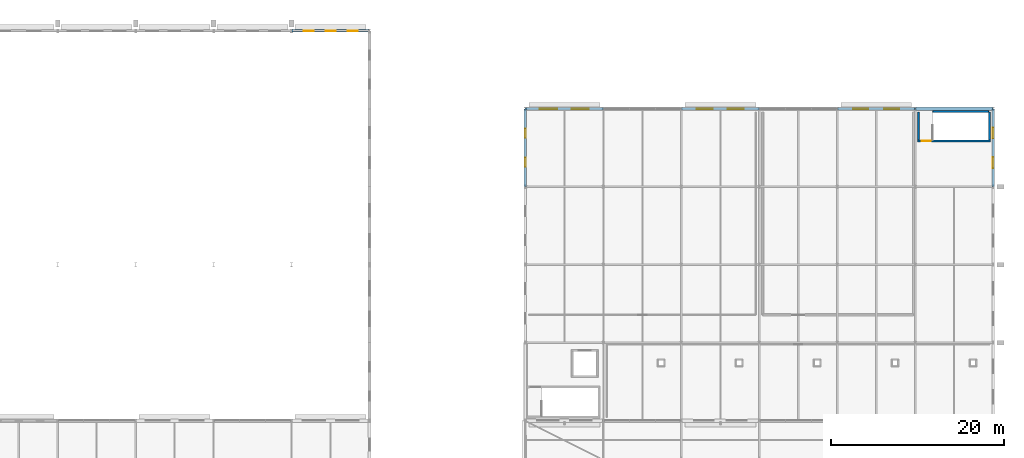
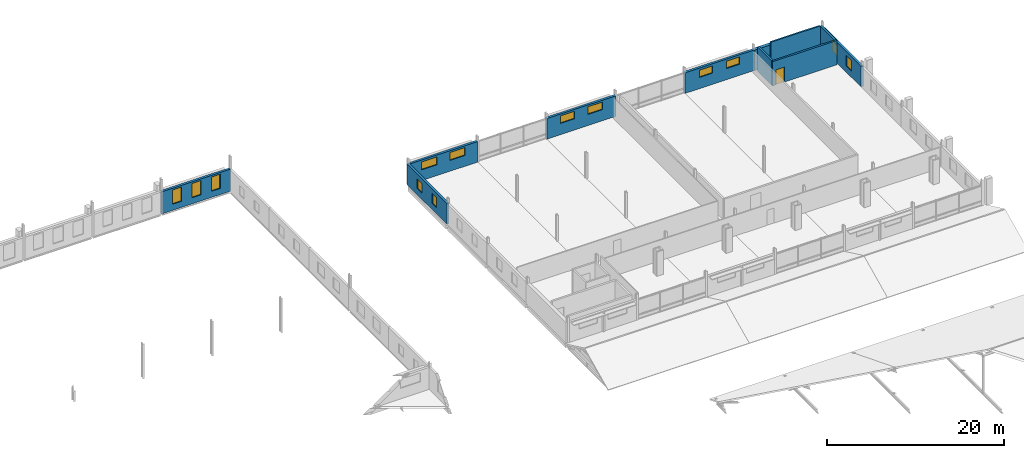
# One storey, part 117 of 132: 13 windows, 11 walls, 1 door, 14 openings.
"""IFC4 building model written with IfcOpenShell, lengths in metres."""

from ifc_helpers import new_model, si_unit, direction, frame, frame_2d, origin, place, context, subcontext, project, spatial, rectangle, extrude, material, layer, layer_set, type_object, element, fill, save


model = new_model("IFC4")

# Units and contexts
model_context = context("Model", 3, precision=1e-05, world=origin(), true_north=direction((0.0, 1.0)))
body_context = subcontext(model_context, "Body", "Model", "MODEL_VIEW")
ifc_project = project(units=[si_unit("LENGTHUNIT", "METRE"), si_unit("AREAUNIT", "SQUARE_METRE"), si_unit("VOLUMEUNIT", "CUBIC_METRE"), si_unit("PLANEANGLEUNIT", "RADIAN"), si_unit("MASSUNIT", "GRAM", prefix="KILO")], contexts=[model_context])

# Site, building, storey
site_placement = place(None, origin())
site = spatial("IfcSite", under=ifc_project, at=site_placement, CompositionType="ELEMENT")
building_placement = place(site_placement, origin())
building = spatial("IfcBuilding", under=site, at=building_placement, Name="Tharagai Park Tramway Depot", CompositionType="ELEMENT")
storey_placement = place(building_placement, frame((0.0, 0.0, 4.800048828125)))
storey = spatial("IfcBuildingStorey", under=building, at=storey_placement, Name="L01", CompositionType="ELEMENT", Elevation=4.800048828125)

# Wall
ifc_material_1 = material(Name="Charnockite stone", Category="masonry")
ifc_layer_1 = layer(ifc_material_1, 0.419921875)
ifc_layer_set_1 = layer_set([ifc_layer_1], Name="Charnockite stone")
wall_type_1 = type_object("IfcWallType", Name="EW-07", PredefinedType="SOLIDWALL", material=ifc_layer_set_1)
wall_1_placement = place(storey_placement, frame((207.00390625, 135.0, 0.0), z_axis=(0.0, 0.0, 1.0), x_axis=(1.0, 0.0, 0.0)))
element("IfcWall", 1, at=wall_1_placement, inside=storey, type_object=wall_type_1, Name="L01 V3 Exterior Masonry Wall EW-07", PredefinedType="SOLIDWALL", context=body_context, shape_type="SweptSolid", body=[
    extrude(rectangle(XDim=8.9921875, YDim=0.419921875, at=frame_2d((4.49609375, 0.0))), origin(), (0.0, 0.0, 1.0), 2.842041015625),
])

# Wall, openings, windows
ifc_material_2 = material(Name="Pressed clay brick", Category="masonry")
ifc_layer_2 = layer(ifc_material_2, 0.300048828125)
ifc_layer_set_2 = layer_set([ifc_layer_2], Name="Pressed clay brick")
wall_type_2 = type_object("IfcWallType", Name="EW-08", PredefinedType="SOLIDWALL", material=ifc_layer_set_2)
wall_2_placement = place(storey_placement, frame((162.00390625, 135.0, 0.0), z_axis=(0.0, 0.0, 1.0), x_axis=(1.0, 0.0, 0.0)))
wall_2 = element("IfcWall", 2, at=wall_2_placement, inside=storey, type_object=wall_type_2, Name="L01 V3 Exterior Masonry Wall EW-08", PredefinedType="SOLIDWALL", context=body_context, shape_type="SweptSolid", body=[
    extrude(rectangle(XDim=8.9921875, YDim=0.300048828125, at=frame_2d((4.49609375, 0.0))), origin(), (0.0, 0.0, 1.0), 2.842041015625),
])
opening_1_placement = place(wall_2_placement, frame((1.6640625, 0.0, 1.5)))
opening_1 = element("IfcOpeningElement", 3, at=opening_1_placement, cuts=wall_2, Name="Opening WN-49", PredefinedType="OPENING", context=body_context, shape_type="SweptSolid", body=[
    extrude(rectangle(XDim=2.0, YDim=1.080078125, at=frame_2d((1.0, 0.5400390625))), frame((0.0, 0.159912109375, 0.0), z_axis=(0.0, -1.0, 0.0), x_axis=(1.0, 0.0, 0.0)), (0.0, 0.0, 1.0), 0.320068359375),
])
opening_2_placement = place(wall_2_placement, frame((5.327880859375, 0.0, 1.5)))
opening_2 = element("IfcOpeningElement", 4, at=opening_2_placement, cuts=wall_2, Name="Opening WN-49", PredefinedType="OPENING", context=body_context, shape_type="SweptSolid", body=[
    extrude(rectangle(XDim=2.0, YDim=1.080078125, at=frame_2d((1.0, 0.5400390625))), frame((0.0, 0.159912109375, 0.0), z_axis=(0.0, -1.0, 0.0), x_axis=(1.0, 0.0, 0.0)), (0.0, 0.0, 1.0), 0.320068359375),
])
ifc_material_3 = material(Name="Laminated solar-control glass", Category="glass")
window_type_1 = type_object("IfcWindowType", Name="WN-49", PartitioningType="SINGLE_PANEL", PredefinedType="WINDOW", material=ifc_material_3)
window_1_placement = place(opening_1_placement, origin())
window_1 = element("IfcWindow", 5, at=window_1_placement, inside=storey, type_object=window_type_1, Name="L01 V3 Gothic Lancet Window WN-49", OverallHeight=1.080078125, OverallWidth=2.0, PartitioningType="SINGLE_PANEL", PredefinedType="WINDOW", context=body_context, shape_type="SweptSolid", body=[
    extrude(rectangle(XDim=2.0, YDim=1.080078125, at=frame_2d((1.0, 0.5400390625))), frame((0.0, 0.030029296875, 0.0), z_axis=(0.0, -1.0, 0.0), x_axis=(1.0, 0.0, 0.0)), (0.0, 0.0, 1.0), 0.06005859375),
])
fill(opening_1, window_1)
window_2_placement = place(opening_2_placement, origin())
window_2 = element("IfcWindow", 6, at=window_2_placement, inside=storey, type_object=window_type_1, Name="L01 V3 Gothic Lancet Window WN-49", OverallHeight=1.080078125, OverallWidth=2.0, PartitioningType="SINGLE_PANEL", PredefinedType="WINDOW", context=body_context, shape_type="SweptSolid", body=[
    extrude(rectangle(XDim=2.0, YDim=1.080078125, at=frame_2d((1.0, 0.5400390625))), frame((0.0, 0.030029296875, 0.0), z_axis=(0.0, -1.0, 0.0), x_axis=(1.0, 0.0, 0.0)), (0.0, 0.0, 1.0), 0.06005859375),
])
fill(opening_2, window_2)

wall_3_placement = place(storey_placement, frame((180.00390625, 135.0, 0.0), z_axis=(0.0, 0.0, 1.0), x_axis=(1.0, 0.0, 0.0)))
wall_3 = element("IfcWall", 7, at=wall_3_placement, inside=storey, type_object=wall_type_2, Name="L01 V3 Exterior Masonry Wall EW-08", PredefinedType="SOLIDWALL", context=body_context, shape_type="SweptSolid", body=[
    extrude(rectangle(XDim=8.9921875, YDim=0.300048828125, at=frame_2d((4.49609375, 0.0))), origin(), (0.0, 0.0, 1.0), 2.842041015625),
])
opening_3_placement = place(wall_3_placement, frame((1.763916015625, 0.0, 1.550048828125)))
opening_3 = element("IfcOpeningElement", 8, at=opening_3_placement, cuts=wall_3, Name="Opening WN-05", PredefinedType="OPENING", context=body_context, shape_type="SweptSolid", body=[
    extrude(rectangle(XDim=1.85009765625, YDim=1.0400390625, at=frame_2d((0.925048828125, 0.52001953125))), frame((0.0, 0.159912109375, 0.0), z_axis=(0.0, -1.0, 0.0), x_axis=(1.0, 0.0, 0.0)), (0.0, 0.0, 1.0), 0.320068359375),
])
opening_4_placement = place(wall_3_placement, frame((5.3779296875, 0.0, 1.550048828125)))
opening_4 = element("IfcOpeningElement", 9, at=opening_4_placement, cuts=wall_3, Name="Opening WN-05", PredefinedType="OPENING", context=body_context, shape_type="SweptSolid", body=[
    extrude(rectangle(XDim=1.85009765625, YDim=1.0400390625, at=frame_2d((0.925048828125, 0.52001953125))), frame((0.0, 0.159912109375, 0.0), z_axis=(0.0, -1.0, 0.0), x_axis=(1.0, 0.0, 0.0)), (0.0, 0.0, 1.0), 0.320068359375),
])
window_type_2 = type_object("IfcWindowType", Name="WN-05", PartitioningType="SINGLE_PANEL", PredefinedType="WINDOW", material=ifc_material_3)
window_3_placement = place(opening_3_placement, origin())
window_3 = element("IfcWindow", 10, at=window_3_placement, inside=storey, type_object=window_type_2, Name="L01 V3 Gothic Lancet Window WN-05", OverallHeight=1.0400390625, OverallWidth=1.85009765625, PartitioningType="SINGLE_PANEL", PredefinedType="WINDOW", context=body_context, shape_type="SweptSolid", body=[
    extrude(rectangle(XDim=1.85009765625, YDim=1.0400390625, at=frame_2d((0.925048828125, 0.52001953125))), frame((0.0, 0.030029296875, 0.0), z_axis=(0.0, -1.0, 0.0), x_axis=(1.0, 0.0, 0.0)), (0.0, 0.0, 1.0), 0.06005859375),
])
fill(opening_3, window_3)
window_4_placement = place(opening_4_placement, origin())
window_4 = element("IfcWindow", 11, at=window_4_placement, inside=storey, type_object=window_type_2, Name="L01 V3 Gothic Lancet Window WN-05", OverallHeight=1.0400390625, OverallWidth=1.85009765625, PartitioningType="SINGLE_PANEL", PredefinedType="WINDOW", context=body_context, shape_type="SweptSolid", body=[
    extrude(rectangle(XDim=1.85009765625, YDim=1.0400390625, at=frame_2d((0.925048828125, 0.52001953125))), frame((0.0, 0.030029296875, 0.0), z_axis=(0.0, -1.0, 0.0), x_axis=(1.0, 0.0, 0.0)), (0.0, 0.0, 1.0), 0.06005859375),
])
fill(opening_4, window_4)

wall_4_placement = place(storey_placement, frame((198.00390625, 135.0, 0.0), z_axis=(0.0, 0.0, 1.0), x_axis=(1.0, 0.0, 0.0)))
wall_4 = element("IfcWall", 12, at=wall_4_placement, inside=storey, type_object=wall_type_2, Name="L01 V3 Exterior Masonry Wall EW-08", PredefinedType="SOLIDWALL", context=body_context, shape_type="SweptSolid", body=[
    extrude(rectangle(XDim=8.9921875, YDim=0.300048828125, at=frame_2d((4.49609375, 0.0))), origin(), (0.0, 0.0, 1.0), 2.842041015625),
])
opening_5_placement = place(wall_4_placement, frame((1.864013671875, 0.0, 1.550048828125)))
opening_5 = element("IfcOpeningElement", 13, at=opening_5_placement, cuts=wall_4, Name="Opening WN-31", PredefinedType="OPENING", context=body_context, shape_type="SweptSolid", body=[
    extrude(rectangle(XDim=1.699951171875, YDim=1.0, at=frame_2d((0.85009765625, 0.5))), frame((0.0, 0.159912109375, 0.0), z_axis=(0.0, -1.0, 0.0), x_axis=(1.0, 0.0, 0.0)), (0.0, 0.0, 1.0), 0.320068359375),
])
opening_6_placement = place(wall_4_placement, frame((5.427978515625, 0.0, 1.550048828125)))
opening_6 = element("IfcOpeningElement", 14, at=opening_6_placement, cuts=wall_4, Name="Opening WN-31", PredefinedType="OPENING", context=body_context, shape_type="SweptSolid", body=[
    extrude(rectangle(XDim=1.699951171875, YDim=1.0, at=frame_2d((0.85009765625, 0.5))), frame((0.0, 0.159912109375, 0.0), z_axis=(0.0, -1.0, 0.0), x_axis=(1.0, 0.0, 0.0)), (0.0, 0.0, 1.0), 0.320068359375),
])
window_type_3 = type_object("IfcWindowType", Name="WN-31", PartitioningType="SINGLE_PANEL", PredefinedType="WINDOW", material=ifc_material_3)
window_5_placement = place(opening_5_placement, origin())
window_5 = element("IfcWindow", 15, at=window_5_placement, inside=storey, type_object=window_type_3, Name="L01 V3 Gothic Lancet Window WN-31", OverallHeight=1.0, OverallWidth=1.699951171875, PartitioningType="SINGLE_PANEL", PredefinedType="WINDOW", context=body_context, shape_type="SweptSolid", body=[
    extrude(rectangle(XDim=1.699951171875, YDim=1.0, at=frame_2d((0.85009765625, 0.5))), frame((0.0, 0.030029296875, 0.0), z_axis=(0.0, -1.0, 0.0), x_axis=(1.0, 0.0, 0.0)), (0.0, 0.0, 1.0), 0.06005859375),
])
fill(opening_5, window_5)
window_6_placement = place(opening_6_placement, origin())
window_6 = element("IfcWindow", 16, at=window_6_placement, inside=storey, type_object=window_type_3, Name="L01 V3 Gothic Lancet Window WN-31", OverallHeight=1.0, OverallWidth=1.699951171875, PartitioningType="SINGLE_PANEL", PredefinedType="WINDOW", context=body_context, shape_type="SweptSolid", body=[
    extrude(rectangle(XDim=1.699951171875, YDim=1.0, at=frame_2d((0.85009765625, 0.5))), frame((0.0, 0.030029296875, 0.0), z_axis=(0.0, -1.0, 0.0), x_axis=(1.0, 0.0, 0.0)), (0.0, 0.0, 1.0), 0.06005859375),
])
fill(opening_6, window_6)

wall_5_placement = place(storey_placement, frame((135.00390625, 144.0, 0.0), z_axis=(0.0, 0.0, 1.0), x_axis=(1.0, 0.0, 0.0)))
wall_5 = element("IfcWall", 17, at=wall_5_placement, inside=storey, type_object=wall_type_2, Name="L01 V1 Exterior Masonry Wall EW-08", PredefinedType="SOLIDWALL", context=body_context, shape_type="SweptSolid", body=[
    extrude(rectangle(XDim=8.9921875, YDim=0.300048828125, at=frame_2d((4.49609375, 0.0))), origin(), (0.0, 0.0, 1.0), 3.0419921875),
])
opening_7_placement = place(wall_5_placement, frame((1.385986328125, 0.0, 0.85009765625)))
opening_7 = element("IfcOpeningElement", 18, at=opening_7_placement, cuts=wall_5, Name="Opening WN-28", PredefinedType="OPENING", context=body_context, shape_type="SweptSolid", body=[
    extrude(rectangle(XDim=1.14990234375, YDim=1.9599609375, at=frame_2d((0.574951171875, 0.97998046875))), frame((0.0, 0.159912109375, 0.0), z_axis=(0.0, -1.0, 0.0), x_axis=(1.0, 0.0, 0.0)), (0.0, 0.0, 1.0), 0.320068359375),
])
opening_8_placement = place(wall_5_placement, frame((3.9208984375, 0.0, 0.85009765625)))
opening_8 = element("IfcOpeningElement", 19, at=opening_8_placement, cuts=wall_5, Name="Opening WN-28", PredefinedType="OPENING", context=body_context, shape_type="SweptSolid", body=[
    extrude(rectangle(XDim=1.14990234375, YDim=1.9599609375, at=frame_2d((0.574951171875, 0.97998046875))), frame((0.0, 0.159912109375, 0.0), z_axis=(0.0, -1.0, 0.0), x_axis=(1.0, 0.0, 0.0)), (0.0, 0.0, 1.0), 0.320068359375),
])
opening_9_placement = place(wall_5_placement, frame((6.45703125, 0.0, 0.85009765625)))
opening_9 = element("IfcOpeningElement", 20, at=opening_9_placement, cuts=wall_5, Name="Opening WN-28", PredefinedType="OPENING", context=body_context, shape_type="SweptSolid", body=[
    extrude(rectangle(XDim=1.14990234375, YDim=1.9599609375, at=frame_2d((0.574951171875, 0.97998046875))), frame((0.0, 0.159912109375, 0.0), z_axis=(0.0, -1.0, 0.0), x_axis=(1.0, 0.0, 0.0)), (0.0, 0.0, 1.0), 0.320068359375),
])
window_type_4 = type_object("IfcWindowType", Name="WN-28", PartitioningType="SINGLE_PANEL", PredefinedType="WINDOW", material=ifc_material_3)
window_7_placement = place(opening_7_placement, origin())
window_7 = element("IfcWindow", 21, at=window_7_placement, inside=storey, type_object=window_type_4, Name="L01 V1 Gothic Lancet Window WN-28", OverallHeight=1.9599609375, OverallWidth=1.14990234375, PartitioningType="SINGLE_PANEL", PredefinedType="WINDOW", context=body_context, shape_type="SweptSolid", body=[
    extrude(rectangle(XDim=1.14990234375, YDim=1.9599609375, at=frame_2d((0.574951171875, 0.97998046875))), frame((0.0, 0.030029296875, 0.0), z_axis=(0.0, -1.0, 0.0), x_axis=(1.0, 0.0, 0.0)), (0.0, 0.0, 1.0), 0.06005859375),
])
fill(opening_7, window_7)
window_8_placement = place(opening_8_placement, origin())
window_8 = element("IfcWindow", 22, at=window_8_placement, inside=storey, type_object=window_type_4, Name="L01 V1 Gothic Lancet Window WN-28", OverallHeight=1.9599609375, OverallWidth=1.14990234375, PartitioningType="SINGLE_PANEL", PredefinedType="WINDOW", context=body_context, shape_type="SweptSolid", body=[
    extrude(rectangle(XDim=1.14990234375, YDim=1.9599609375, at=frame_2d((0.574951171875, 0.97998046875))), frame((0.0, 0.030029296875, 0.0), z_axis=(0.0, -1.0, 0.0), x_axis=(1.0, 0.0, 0.0)), (0.0, 0.0, 1.0), 0.06005859375),
])
fill(opening_8, window_8)
window_9_placement = place(opening_9_placement, origin())
window_9 = element("IfcWindow", 23, at=window_9_placement, inside=storey, type_object=window_type_4, Name="L01 V1 Gothic Lancet Window WN-28", OverallHeight=1.9599609375, OverallWidth=1.14990234375, PartitioningType="SINGLE_PANEL", PredefinedType="WINDOW", context=body_context, shape_type="SweptSolid", body=[
    extrude(rectangle(XDim=1.14990234375, YDim=1.9599609375, at=frame_2d((0.574951171875, 0.97998046875))), frame((0.0, 0.030029296875, 0.0), z_axis=(0.0, -1.0, 0.0), x_axis=(1.0, 0.0, 0.0)), (0.0, 0.0, 1.0), 0.06005859375),
])
fill(opening_9, window_9)

wall_6_placement = place(storey_placement, frame((162.0, 126.00390625, 0.0), z_axis=(0.0, 0.0, 1.0), x_axis=(0.0, 1.0, 0.0)))
wall_6 = element("IfcWall", 24, at=wall_6_placement, inside=storey, type_object=wall_type_2, Name="L01 V3 Exterior Masonry Wall EW-08", PredefinedType="SOLIDWALL", context=body_context, shape_type="SweptSolid", body=[
    extrude(rectangle(XDim=8.9921875, YDim=0.300048828125, at=frame_2d((4.49609375, 0.0))), origin(), (0.0, 0.0, 1.0), 2.842041015625),
])
opening_10_placement = place(wall_6_placement, frame((2.291015625, 0.0, 0.85009765625)))
opening_10 = element("IfcOpeningElement", 25, at=opening_10_placement, cuts=wall_6, Name="Opening WN-54", PredefinedType="OPENING", context=body_context, shape_type="SweptSolid", body=[
    extrude(rectangle(XDim=1.06005859375, YDim=1.35009765625, at=frame_2d((0.530029296875, 0.675048828125))), frame((0.0, 0.159912109375, 0.0), z_axis=(0.0, -1.0, 0.0), x_axis=(1.0, 0.0, 0.0)), (0.0, 0.0, 1.0), 0.320068359375),
])
opening_11_placement = place(wall_6_placement, frame((5.64111328125, 0.0, 0.85009765625)))
opening_11 = element("IfcOpeningElement", 26, at=opening_11_placement, cuts=wall_6, Name="Opening WN-54", PredefinedType="OPENING", context=body_context, shape_type="SweptSolid", body=[
    extrude(rectangle(XDim=1.06005859375, YDim=1.35009765625, at=frame_2d((0.530029296875, 0.675048828125))), frame((0.0, 0.159912109375, 0.0), z_axis=(0.0, -1.0, 0.0), x_axis=(1.0, 0.0, 0.0)), (0.0, 0.0, 1.0), 0.320068359375),
])
window_type_5 = type_object("IfcWindowType", Name="WN-54", PartitioningType="SINGLE_PANEL", PredefinedType="WINDOW", material=ifc_material_3)
window_10_placement = place(opening_10_placement, origin())
window_10 = element("IfcWindow", 27, at=window_10_placement, inside=storey, type_object=window_type_5, Name="L01 V3 Side Lancet Window WN-54", OverallHeight=1.35009765625, OverallWidth=1.06005859375, PartitioningType="SINGLE_PANEL", PredefinedType="WINDOW", context=body_context, shape_type="SweptSolid", body=[
    extrude(rectangle(XDim=1.06005859375, YDim=1.35009765625, at=frame_2d((0.530029296875, 0.675048828125))), frame((0.0, 0.030029296875, 0.0), z_axis=(0.0, -1.0, 0.0), x_axis=(1.0, 0.0, 0.0)), (0.0, 0.0, 1.0), 0.06005859375),
])
fill(opening_10, window_10)
window_11_placement = place(opening_11_placement, origin())
window_11 = element("IfcWindow", 28, at=window_11_placement, inside=storey, type_object=window_type_5, Name="L01 V3 Side Lancet Window WN-54", OverallHeight=1.35009765625, OverallWidth=1.06005859375, PartitioningType="SINGLE_PANEL", PredefinedType="WINDOW", context=body_context, shape_type="SweptSolid", body=[
    extrude(rectangle(XDim=1.06005859375, YDim=1.35009765625, at=frame_2d((0.530029296875, 0.675048828125))), frame((0.0, 0.030029296875, 0.0), z_axis=(0.0, -1.0, 0.0), x_axis=(1.0, 0.0, 0.0)), (0.0, 0.0, 1.0), 0.06005859375),
])
fill(opening_11, window_11)

wall_7_placement = place(storey_placement, frame((216.0, 126.00390625, 0.0), z_axis=(0.0, 0.0, 1.0), x_axis=(0.0, 1.0, 0.0)))
wall_7 = element("IfcWall", 29, at=wall_7_placement, inside=storey, type_object=wall_type_2, Name="L01 V3 Exterior Masonry Wall EW-08", PredefinedType="SOLIDWALL", context=body_context, shape_type="SweptSolid", body=[
    extrude(rectangle(XDim=8.9921875, YDim=0.300048828125, at=frame_2d((4.49609375, 0.0))), origin(), (0.0, 0.0, 1.0), 2.842041015625),
])
opening_12_placement = place(wall_7_placement, frame((2.156982421875, 0.0, 0.85009765625)))
opening_12 = element("IfcOpeningElement", 30, at=opening_12_placement, cuts=wall_7, Name="Opening WN-09", PredefinedType="OPENING", context=body_context, shape_type="SweptSolid", body=[
    extrude(rectangle(XDim=1.260009765625, YDim=1.4599609375, at=frame_2d((0.6298828125, 0.72998046875))), frame((0.0, 0.159912109375, 0.0), z_axis=(0.0, -1.0, 0.0), x_axis=(1.0, 0.0, 0.0)), (0.0, 0.0, 1.0), 0.320068359375),
])
opening_13_placement = place(wall_7_placement, frame((5.574951171875, 0.0, 0.85009765625)))
opening_13 = element("IfcOpeningElement", 31, at=opening_13_placement, cuts=wall_7, Name="Opening WN-09", PredefinedType="OPENING", context=body_context, shape_type="SweptSolid", body=[
    extrude(rectangle(XDim=1.260009765625, YDim=1.4599609375, at=frame_2d((0.6298828125, 0.72998046875))), frame((0.0, 0.159912109375, 0.0), z_axis=(0.0, -1.0, 0.0), x_axis=(1.0, 0.0, 0.0)), (0.0, 0.0, 1.0), 0.320068359375),
])
window_type_6 = type_object("IfcWindowType", Name="WN-09", PartitioningType="SINGLE_PANEL", PredefinedType="WINDOW", material=ifc_material_3)
window_12_placement = place(opening_12_placement, origin())
window_12 = element("IfcWindow", 32, at=window_12_placement, inside=storey, type_object=window_type_6, Name="L01 V3 Side Lancet Window WN-09", OverallHeight=1.4599609375, OverallWidth=1.260009765625, PartitioningType="SINGLE_PANEL", PredefinedType="WINDOW", context=body_context, shape_type="SweptSolid", body=[
    extrude(rectangle(XDim=1.260009765625, YDim=1.4599609375, at=frame_2d((0.6298828125, 0.72998046875))), frame((0.0, 0.030029296875, 0.0), z_axis=(0.0, -1.0, 0.0), x_axis=(1.0, 0.0, 0.0)), (0.0, 0.0, 1.0), 0.06005859375),
])
fill(opening_12, window_12)
window_13_placement = place(opening_13_placement, origin())
window_13 = element("IfcWindow", 33, at=window_13_placement, inside=storey, type_object=window_type_6, Name="L01 V3 Side Lancet Window WN-09", OverallHeight=1.4599609375, OverallWidth=1.260009765625, PartitioningType="SINGLE_PANEL", PredefinedType="WINDOW", context=body_context, shape_type="SweptSolid", body=[
    extrude(rectangle(XDim=1.260009765625, YDim=1.4599609375, at=frame_2d((0.6298828125, 0.72998046875))), frame((0.0, 0.030029296875, 0.0), z_axis=(0.0, -1.0, 0.0), x_axis=(1.0, 0.0, 0.0)), (0.0, 0.0, 1.0), 0.06005859375),
])
fill(opening_13, window_13)

# Wall, opening, door
ifc_material_4 = material(Name="Concrete M40", Category="concrete")
ifc_layer_3 = layer(ifc_material_4, 0.239990234375)
ifc_layer_set_3 = layer_set([ifc_layer_3], Name="Concrete M40")
wall_type_3 = type_object("IfcWallType", Name="SW-01", PredefinedType="SHEAR", material=ifc_layer_set_3)
wall_8_placement = place(storey_placement, frame((207.280029296875, 131.2900390625, 0.0), z_axis=(0.0, 0.0, 1.0), x_axis=(1.0, 0.0, 0.0)))
wall_8 = element("IfcWall", 34, at=wall_8_placement, inside=storey, type_object=wall_type_3, Name="Core C13 L01 Shear Wall South", PredefinedType="SHEAR", context=body_context, shape_type="SweptSolid", body=[
    extrude(rectangle(XDim=8.43994140625, YDim=0.239990234375, at=frame_2d((4.219970703125, 0.0))), origin(), (0.0, 0.0, 1.0), 3.349853515625),
])
opening_14_placement = place(wall_8_placement, frame((0.4599609375, 0.0, 0.0)))
opening_14 = element("IfcOpeningElement", 35, at=opening_14_placement, cuts=wall_8, Name="Opening ID-05", PredefinedType="OPENING", context=body_context, shape_type="SweptSolid", body=[
    extrude(rectangle(XDim=1.080078125, YDim=2.080078125, at=frame_2d((0.5400390625, 1.0400390625))), frame((0.0, 0.1298828125, 0.0), z_axis=(0.0, -1.0, 0.0), x_axis=(1.0, 0.0, 0.0)), (0.0, 0.0, 1.0), 0.260009765625),
])
ifc_material_5 = material(Name="Galvanised steel", Category="steel")
door_type = type_object("IfcDoorType", Name="ID-05", OperationType="NOTDEFINED", PredefinedType="DOOR", material=ifc_material_5)
door_placement = place(opening_14_placement, origin())
door = element("IfcDoor", 36, at=door_placement, inside=storey, type_object=door_type, Name="Stair ST-13 L01 Fire Door", OperationType="SINGLE_SWING_RIGHT", OverallHeight=2.080078125, OverallWidth=1.080078125, PredefinedType="DOOR", context=body_context, shape_type="SweptSolid", body=[
    extrude(rectangle(XDim=1.080078125, YDim=2.080078125, at=frame_2d((0.5400390625, 1.0400390625))), frame((0.0, 0.02490234375, 0.0), z_axis=(0.0, -1.0, 0.0), x_axis=(1.0, 0.0, 0.0)), (0.0, 0.0, 1.0), 0.050048828125),
])
fill(opening_14, door)

# Walls
for number, where, z_axis, x_axis, name in (
    (37, (207.39990234375, 131.409912109375, 0.0), (0.0, 0.0, 1.0), (0.0, 1.0, 0.0), "Core C13 L01 Shear Wall West"),
    (38, (215.60009765625, 131.409912109375, 0.0), (0.0, 0.0, 1.0), (0.0, 1.0, 0.0), "Core C13 L01 Shear Wall East"),
):
    element("IfcWall", number, at=place(storey_placement, frame(where, z_axis=z_axis, x_axis=x_axis)), inside=storey, type_object=wall_type_3, Name=name, PredefinedType="SHEAR", context=body_context, shape_type="SweptSolid", body=[
        extrude(rectangle(XDim=3.190185546875, YDim=0.239990234375, at=frame_2d((1.59521484375, 0.0))), origin(), (0.0, 0.0, 1.0), 3.349853515625),
    ])
ifc_layer_4 = layer(ifc_material_4, 0.199951171875)
ifc_layer_set_4 = layer_set([ifc_layer_4], Name="Concrete M40")
wall_type_4 = type_object("IfcWallType", Name="SW-02", PredefinedType="SHEAR", material=ifc_layer_set_4)
wall_9_placement = place(storey_placement, frame((209.0400390625, 134.68505859375, 0.0), z_axis=(0.0, 0.0, 1.0), x_axis=(1.0, 0.0, 0.0)))
element("IfcWall", 39, at=wall_9_placement, inside=storey, type_object=wall_type_4, Name="Core C13 L01 Shear Bearing Liner North", PredefinedType="SHEAR", context=body_context, shape_type="SweptSolid", body=[
    extrude(rectangle(XDim=6.43994140625, YDim=0.199951171875, at=frame_2d((3.219970703125, 0.0))), origin(), (0.0, 0.0, 1.0), 3.349853515625),
])

save(model, "model.ifc")
